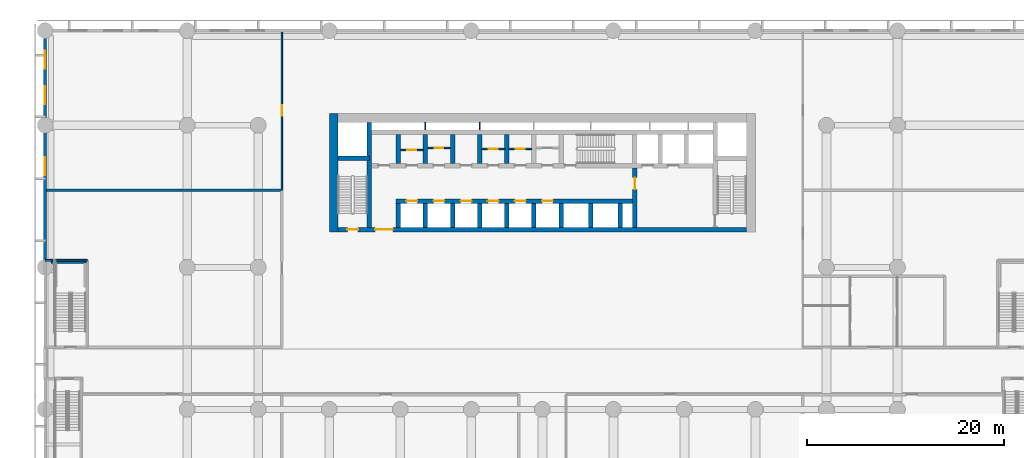
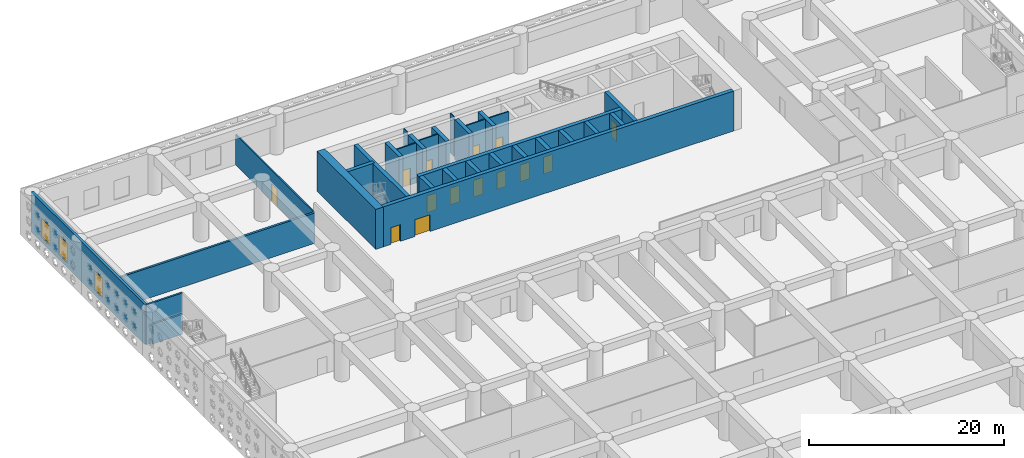
# One storey, part 7 of 30: 31 walls, 14 doors, 3 windows, 17 openings.
"""IFC4 building model written with IfcOpenShell, lengths in metres."""

from ifc_helpers import new_model, si_unit, direction, frame, frame_2d, origin, place, context, subcontext, project, spatial, rectangle, extrude, material, layer, layer_set, type_object, element, fill, save


model = new_model("IFC4")

# Units and contexts
model_context = context("Model", 3, precision=1e-05, world=origin(), true_north=direction((0.0, 1.0)))
body_context = subcontext(model_context, "Body", "Model", "MODEL_VIEW")
ifc_project = project(units=[si_unit("LENGTHUNIT", "METRE"), si_unit("AREAUNIT", "SQUARE_METRE"), si_unit("VOLUMEUNIT", "CUBIC_METRE"), si_unit("PLANEANGLEUNIT", "RADIAN"), si_unit("MASSUNIT", "GRAM", prefix="KILO")], contexts=[model_context])

# Site, building, storey
site_placement = place(None, origin())
site = spatial("IfcSite", under=ifc_project, at=site_placement, CompositionType="ELEMENT")
building_placement = place(site_placement, origin())
building = spatial("IfcBuilding", under=site, at=building_placement, Name="Saffron Iwan Residences", CompositionType="ELEMENT")
storey_placement = place(building_placement, frame((0.0, 0.0, 7.800048828125)))
storey = spatial("IfcBuildingStorey", under=building, at=storey_placement, Name="L01", CompositionType="ELEMENT", Elevation=7.800048828125)

# Wall, opening, door
ifc_material_1 = material(Name="Concrete blockwork", Category="masonry")
ifc_layer_1 = layer(ifc_material_1, 0.14990234375)
ifc_layer_set_1 = layer_set([ifc_layer_1], Name="Concrete blockwork")
wall_type_1 = type_object("IfcWallType", Name="Blockwork partition 150", PredefinedType="PARTITIONING", material=ifc_layer_set_1)
wall_1_placement = place(storey_placement, frame((24.0, 70.199951171875, 0.0), z_axis=(0.0, 0.0, 1.0), x_axis=(0.0, 1.0, 0.0)))
wall_1 = element("IfcWall", 1, at=wall_1_placement, inside=storey, type_object=wall_type_1, Name="W-L01-036", PredefinedType="PARTITIONING", context=body_context, shape_type="SweptSolid", body=[
    extrude(rectangle(XDim=16.050048828125, YDim=0.14990234375, at=frame_2d((8.02490234375, 0.0))), origin(), (0.0, 0.0, 1.0), 3.800048828125),
])
opening_1_placement = place(wall_1_placement, frame((7.550048828125, 0.0, 0.0)))
opening_1 = element("IfcOpeningElement", 2, at=opening_1_placement, cuts=wall_1, Name="Opening L01.13", PredefinedType="OPENING", context=body_context, shape_type="SweptSolid", body=[
    extrude(rectangle(XDim=1.10009765625, YDim=2.10009765625, at=frame_2d((0.550048828125, 1.050048828125))), frame((0.0, 0.0849609375, 0.0), z_axis=(0.0, -1.0, 0.0), x_axis=(1.0, 0.0, 0.0)), (0.0, 0.0, 1.0), 0.169921875),
])
ifc_material_2 = material(Name="Timber", Category="wood")
door_type_1 = type_object("IfcDoorType", Name="Door 1100x2100", OperationType="NOTDEFINED", PredefinedType="DOOR", material=ifc_material_2)
door_1_placement = place(opening_1_placement, origin())
door_1 = element("IfcDoor", 3, at=door_1_placement, inside=storey, type_object=door_type_1, Name="D-L01-013", OperationType="SINGLE_SWING_RIGHT", OverallHeight=2.10009765625, OverallWidth=1.10009765625, PredefinedType="DOOR", context=body_context, shape_type="SweptSolid", body=[
    extrude(rectangle(XDim=1.10009765625, YDim=2.10009765625, at=frame_2d((0.550048828125, 1.050048828125))), frame((0.0, 0.02490234375, 0.0), z_axis=(0.0, -1.0, 0.0), x_axis=(1.0, 0.0, 0.0)), (0.0, 0.0, 1.0), 0.050048828125),
])
fill(opening_1, door_1)

ifc_material_3 = material(Name="Fire-rated plasterboard partition")
ifc_layer_2 = layer(ifc_material_3, 0.14990234375)
ifc_layer_set_2 = layer_set([ifc_layer_2], Name="Fire-rated plasterboard partition")
wall_type_2 = type_object("IfcWallType", Name="Core partition 150", PredefinedType="PARTITIONING", material=ifc_layer_set_2)
wall_2_placement = place(storey_placement, frame((36.02490234375, 74.281982421875, 0.0), z_axis=(0.0, 0.0, 1.0), x_axis=(1.0, 0.0, 0.0)))
wall_2 = element("IfcWall", 4, at=wall_2_placement, inside=storey, type_object=wall_type_2, Name="Core partition P01", PredefinedType="PARTITIONING", context=body_context, shape_type="SweptSolid", body=[
    extrude(rectangle(XDim=2.300048828125, YDim=0.14990234375, at=frame_2d((1.14990234375, 0.0))), origin(), (0.0, 0.0, 1.0), 5.0),
])
opening_2_placement = place(wall_2_placement, frame((0.699951171875, 0.0, 0.0)))
opening_2 = element("IfcOpeningElement", 5, at=opening_2_placement, cuts=wall_2, Name="Opening SB", PredefinedType="OPENING", context=body_context, shape_type="SweptSolid", body=[
    extrude(rectangle(XDim=0.89990234375, YDim=2.10009765625, at=frame_2d((0.449951171875, 1.050048828125))), frame((0.0, 0.0849609375, 0.0), z_axis=(0.0, -1.0, 0.0), x_axis=(1.0, 0.0, 0.0)), (0.0, 0.0, 1.0), 0.169921875),
])
ifc_material_4 = material(Name="Steel fire door", Category="steel")
door_type_2 = type_object("IfcDoorType", Name="Store door 900", OperationType="NOTDEFINED", PredefinedType="DOOR", material=ifc_material_4)
door_2_placement = place(opening_2_placement, origin())
door_2 = element("IfcDoor", 6, at=door_2_placement, inside=storey, type_object=door_type_2, Name="Door Stationery store", OperationType="SINGLE_SWING_LEFT", OverallHeight=2.10009765625, OverallWidth=0.89990234375, PredefinedType="DOOR", context=body_context, shape_type="SweptSolid", body=[
    extrude(rectangle(XDim=0.89990234375, YDim=2.10009765625, at=frame_2d((0.449951171875, 1.050048828125))), frame((0.0, 0.02490234375, 0.0), z_axis=(0.0, -1.0, 0.0), x_axis=(1.0, 0.0, 0.0)), (0.0, 0.0, 1.0), 0.050048828125),
])
fill(opening_2, door_2)

wall_3_placement = place(storey_placement, frame((38.77490234375, 74.51806640625, 0.0), z_axis=(0.0, 0.0, 1.0), x_axis=(1.0, 0.0, 0.0)))
wall_3 = element("IfcWall", 7, at=wall_3_placement, inside=storey, type_object=wall_type_2, Name="Core partition P02", PredefinedType="PARTITIONING", context=body_context, shape_type="SweptSolid", body=[
    extrude(rectangle(XDim=2.300048828125, YDim=0.14990234375, at=frame_2d((1.14990234375, 0.0))), origin(), (0.0, 0.0, 1.0), 5.0),
])
opening_3_placement = place(wall_3_placement, frame((0.699951171875, 0.0, 0.0)))
opening_3 = element("IfcOpeningElement", 8, at=opening_3_placement, cuts=wall_3, Name="Opening SB", PredefinedType="OPENING", context=body_context, shape_type="SweptSolid", body=[
    extrude(rectangle(XDim=0.89990234375, YDim=2.10009765625, at=frame_2d((0.449951171875, 1.050048828125))), frame((0.0, 0.0849609375, 0.0), z_axis=(0.0, -1.0, 0.0), x_axis=(1.0, 0.0, 0.0)), (0.0, 0.0, 1.0), 0.169921875),
])
door_3_placement = place(opening_3_placement, origin())
door_3 = element("IfcDoor", 9, at=door_3_placement, inside=storey, type_object=door_type_2, Name="Door Tool store", OperationType="SINGLE_SWING_LEFT", OverallHeight=2.10009765625, OverallWidth=0.89990234375, PredefinedType="DOOR", context=body_context, shape_type="SweptSolid", body=[
    extrude(rectangle(XDim=0.89990234375, YDim=2.10009765625, at=frame_2d((0.449951171875, 1.050048828125))), frame((0.0, 0.02490234375, 0.0), z_axis=(0.0, -1.0, 0.0), x_axis=(1.0, 0.0, 0.0)), (0.0, 0.0, 1.0), 0.050048828125),
])
fill(opening_3, door_3)

wall_4_placement = place(storey_placement, frame((44.27490234375, 74.39990234375, 0.0), z_axis=(0.0, 0.0, 1.0), x_axis=(1.0, 0.0, 0.0)))
wall_4 = element("IfcWall", 10, at=wall_4_placement, inside=storey, type_object=wall_type_2, Name="Core partition P03", PredefinedType="PARTITIONING", context=body_context, shape_type="SweptSolid", body=[
    extrude(rectangle(XDim=2.300048828125, YDim=0.14990234375, at=frame_2d((1.14990234375, 0.0))), origin(), (0.0, 0.0, 1.0), 5.0),
])
opening_4_placement = place(wall_4_placement, frame((0.699951171875, 0.0, 0.0)))
opening_4 = element("IfcOpeningElement", 11, at=opening_4_placement, cuts=wall_4, Name="Opening SB", PredefinedType="OPENING", context=body_context, shape_type="SweptSolid", body=[
    extrude(rectangle(XDim=0.89990234375, YDim=2.10009765625, at=frame_2d((0.449951171875, 1.050048828125))), frame((0.0, 0.0849609375, 0.0), z_axis=(0.0, -1.0, 0.0), x_axis=(1.0, 0.0, 0.0)), (0.0, 0.0, 1.0), 0.169921875),
])
door_4_placement = place(opening_4_placement, origin())
door_4 = element("IfcDoor", 12, at=door_4_placement, inside=storey, type_object=door_type_2, Name="Door Equipment store", OperationType="SINGLE_SWING_RIGHT", OverallHeight=2.10009765625, OverallWidth=0.89990234375, PredefinedType="DOOR", context=body_context, shape_type="SweptSolid", body=[
    extrude(rectangle(XDim=0.89990234375, YDim=2.10009765625, at=frame_2d((0.449951171875, 1.050048828125))), frame((0.0, 0.02490234375, 0.0), z_axis=(0.0, -1.0, 0.0), x_axis=(1.0, 0.0, 0.0)), (0.0, 0.0, 1.0), 0.050048828125),
])
fill(opening_4, door_4)

wall_5_placement = place(storey_placement, frame((47.02490234375, 74.39990234375, 0.0), z_axis=(0.0, 0.0, 1.0), x_axis=(1.0, 0.0, 0.0)))
wall_5 = element("IfcWall", 13, at=wall_5_placement, inside=storey, type_object=wall_type_2, Name="Core partition P04", PredefinedType="PARTITIONING", context=body_context, shape_type="SweptSolid", body=[
    extrude(rectangle(XDim=2.300048828125, YDim=0.14990234375, at=frame_2d((1.14990234375, 0.0))), origin(), (0.0, 0.0, 1.0), 5.0),
])
opening_5_placement = place(wall_5_placement, frame((0.699951171875, 0.0, 0.0)))
opening_5 = element("IfcOpeningElement", 14, at=opening_5_placement, cuts=wall_5, Name="Opening SB", PredefinedType="OPENING", context=body_context, shape_type="SweptSolid", body=[
    extrude(rectangle(XDim=0.89990234375, YDim=2.10009765625, at=frame_2d((0.449951171875, 1.050048828125))), frame((0.0, 0.0849609375, 0.0), z_axis=(0.0, -1.0, 0.0), x_axis=(1.0, 0.0, 0.0)), (0.0, 0.0, 1.0), 0.169921875),
])
door_5_placement = place(opening_5_placement, origin())
door_5 = element("IfcDoor", 15, at=door_5_placement, inside=storey, type_object=door_type_2, Name="Door Mop store", OperationType="SINGLE_SWING_LEFT", OverallHeight=2.10009765625, OverallWidth=0.89990234375, PredefinedType="DOOR", context=body_context, shape_type="SweptSolid", body=[
    extrude(rectangle(XDim=0.89990234375, YDim=2.10009765625, at=frame_2d((0.449951171875, 1.050048828125))), frame((0.0, 0.02490234375, 0.0), z_axis=(0.0, -1.0, 0.0), x_axis=(1.0, 0.0, 0.0)), (0.0, 0.0, 1.0), 0.050048828125),
])
fill(opening_5, door_5)

# Walls
ifc_material_5 = material(Name="Concrete C40/50", Category="concrete")
ifc_layer_3 = layer(ifc_material_5, 0.25)
ifc_layer_set_3 = layer_set([ifc_layer_3], Name="Concrete C40/50")
wall_type_3 = type_object("IfcWallType", Name="Fire compartment wall 250", PredefinedType="SOLIDWALL", material=ifc_layer_set_3)
wall_6_placement = place(storey_placement, frame((0.14990234375, 70.199951171875, 0.0), z_axis=(0.0, 0.0, 1.0), x_axis=(1.0, 0.0, 0.0)))
element("IfcWall", 16, at=wall_6_placement, inside=storey, type_object=wall_type_3, Name="W-L01-026", PredefinedType="SOLIDWALL", context=body_context, shape_type="SweptSolid", body=[
    extrude(rectangle(XDim=23.85009765625, YDim=0.25, at=frame_2d((11.925048828125, 0.0))), origin(), (0.0, 0.0, 1.0), 3.800048828125),
])
ifc_layer_4 = layer(ifc_material_5, 0.199951171875)
ifc_layer_set_4 = layer_set([ifc_layer_4], Name="Concrete C40/50")
wall_type_4 = type_object("IfcWallType", Name="Landing support wall, reinforced concrete 200", PredefinedType="SOLIDWALL", material=ifc_layer_set_4)
wall_7_placement = place(storey_placement, frame((0.6240234375, 62.89990234375, 0.0), z_axis=(0.0, 0.0, 1.0), x_axis=(1.0, 0.0, 0.0)))
element("IfcWall", 17, at=wall_7_placement, inside=storey, type_object=wall_type_4, Name="PS3 landing support wall", PredefinedType="SOLIDWALL", context=body_context, shape_type="SweptSolid", body=[
    extrude(rectangle(XDim=3.52587890625, YDim=0.199951171875, at=frame_2d((1.762939453125, 0.0))), origin(), (0.0, 0.0, 1.0), 2.5),
])

# Wall, openings, windows
ifc_material_6 = material(Name="Precast concrete C40/50", Category="concrete")
ifc_layer_5 = layer(ifc_material_6, 0.300048828125)
ifc_layer_set_5 = layer_set([ifc_layer_5], Name="Precast concrete C40/50")
wall_type_5 = type_object("IfcWallType", Name="Podium external wall 300", PredefinedType="SOLIDWALL", material=ifc_layer_set_5)
wall_8_placement = place(storey_placement, frame((0.0, 63.10009765625, 0.0), z_axis=(0.0, 0.0, 1.0), x_axis=(0.0, 1.0, 0.0)))
wall_8 = element("IfcWall", 18, at=wall_8_placement, inside=storey, type_object=wall_type_5, Name="W-L01-030", PredefinedType="SOLIDWALL", context=body_context, shape_type="SweptSolid", body=[
    extrude(rectangle(XDim=23.2998046875, YDim=0.300048828125, at=frame_2d((11.64990234375, 0.0))), origin(), (0.0, 0.0, 1.0), 5.0),
])
opening_6_placement = place(wall_8_placement, frame((8.64990234375, 0.0, 0.60009765625)))
opening_6 = element("IfcOpeningElement", 19, at=opening_6_placement, cuts=wall_8, Name="Opening W7", PredefinedType="OPENING", context=body_context, shape_type="SweptSolid", body=[
    extrude(rectangle(XDim=1.800048828125, YDim=2.39990234375, at=frame_2d((0.89990234375, 1.199951171875))), frame((0.0, 0.16015625, 0.0), z_axis=(0.0, -1.0, 0.0), x_axis=(1.0, 0.0, 0.0)), (0.0, 0.0, 1.0), 0.320068359375),
])
opening_7_placement = place(wall_8_placement, frame((15.85009765625, 0.0, 0.60009765625)))
opening_7 = element("IfcOpeningElement", 20, at=opening_7_placement, cuts=wall_8, Name="Opening W7", PredefinedType="OPENING", context=body_context, shape_type="SweptSolid", body=[
    extrude(rectangle(XDim=1.800048828125, YDim=2.39990234375, at=frame_2d((0.89990234375, 1.199951171875))), frame((0.0, 0.16015625, 0.0), z_axis=(0.0, -1.0, 0.0), x_axis=(1.0, 0.0, 0.0)), (0.0, 0.0, 1.0), 0.320068359375),
])
opening_8_placement = place(wall_8_placement, frame((19.449951171875, 0.0, 0.60009765625)))
opening_8 = element("IfcOpeningElement", 21, at=opening_8_placement, cuts=wall_8, Name="Opening W7", PredefinedType="OPENING", context=body_context, shape_type="SweptSolid", body=[
    extrude(rectangle(XDim=1.800048828125, YDim=2.39990234375, at=frame_2d((0.89990234375, 1.199951171875))), frame((0.0, 0.16015625, 0.0), z_axis=(0.0, -1.0, 0.0), x_axis=(1.0, 0.0, 0.0)), (0.0, 0.0, 1.0), 0.320068359375),
])
ifc_material_7 = material(Name="Clear glass, laminated double glazed", Category="glass")
window_type = type_object("IfcWindowType", Name="WINDOW 1800 x 2400 PODIUM", PartitioningType="DOUBLE_PANEL_VERTICAL", PredefinedType="WINDOW", material=ifc_material_7)
window_1_placement = place(opening_6_placement, origin())
window_1 = element("IfcWindow", 22, at=window_1_placement, inside=storey, type_object=window_type, Name="Window L01 W-L01-030.0", OverallHeight=2.39990234375, OverallWidth=1.800048828125, PartitioningType="DOUBLE_PANEL_VERTICAL", PredefinedType="WINDOW", context=body_context, shape_type="SweptSolid", body=[
    extrude(rectangle(XDim=1.800048828125, YDim=2.39990234375, at=frame_2d((0.89990234375, 1.199951171875))), frame((0.0, 0.030029296875, 0.0), z_axis=(0.0, -1.0, 0.0), x_axis=(1.0, 0.0, 0.0)), (0.0, 0.0, 1.0), 0.06005859375),
])
fill(opening_6, window_1)
window_2_placement = place(opening_7_placement, origin())
window_2 = element("IfcWindow", 23, at=window_2_placement, inside=storey, type_object=window_type, Name="Window L01 W-L01-030.1", OverallHeight=2.39990234375, OverallWidth=1.800048828125, PartitioningType="DOUBLE_PANEL_VERTICAL", PredefinedType="WINDOW", context=body_context, shape_type="SweptSolid", body=[
    extrude(rectangle(XDim=1.800048828125, YDim=2.39990234375, at=frame_2d((0.89990234375, 1.199951171875))), frame((0.0, 0.030029296875, 0.0), z_axis=(0.0, -1.0, 0.0), x_axis=(1.0, 0.0, 0.0)), (0.0, 0.0, 1.0), 0.06005859375),
])
fill(opening_7, window_2)
window_3_placement = place(opening_8_placement, origin())
window_3 = element("IfcWindow", 24, at=window_3_placement, inside=storey, type_object=window_type, Name="Window L01 W-L01-030.2", OverallHeight=2.39990234375, OverallWidth=1.800048828125, PartitioningType="DOUBLE_PANEL_VERTICAL", PredefinedType="WINDOW", context=body_context, shape_type="SweptSolid", body=[
    extrude(rectangle(XDim=1.800048828125, YDim=2.39990234375, at=frame_2d((0.89990234375, 1.199951171875))), frame((0.0, 0.030029296875, 0.0), z_axis=(0.0, -1.0, 0.0), x_axis=(1.0, 0.0, 0.0)), (0.0, 0.0, 1.0), 0.06005859375),
])
fill(opening_8, window_3)

# Walls
ifc_layer_6 = layer(ifc_material_5, 0.199951171875)
ifc_layer_set_6 = layer_set([ifc_layer_6], Name="Concrete C40/50")
wall_type_6 = type_object("IfcWallType", Name="Reinforced concrete stair wall 200", PredefinedType="SOLIDWALL", material=ifc_layer_set_6)
wall_9_placement = place(storey_placement, frame((0.0, 63.10009765625, 0.0), z_axis=(0.0, 0.0, 1.0), x_axis=(1.0, 0.0, 0.0)))
element("IfcWall", 25, at=wall_9_placement, inside=storey, type_object=wall_type_6, Name="W-L01-023", PredefinedType="SOLIDWALL", context=body_context, shape_type="SweptSolid", body=[
    extrude(rectangle(XDim=4.25, YDim=0.199951171875, at=frame_2d((2.125, 0.0))), origin(), (0.0, 0.0, 1.0), 5.0),
])
ifc_layer_7 = layer(ifc_material_3, 0.10009765625)
ifc_layer_set_7 = layer_set([ifc_layer_7], Name="Fire-rated plasterboard partition")
wall_type_7 = type_object("IfcWallType", Name="Riser partition 100", PredefinedType="PARTITIONING", material=ifc_layer_set_7)
for number, where, z_axis, x_axis, name in (
    (26, (38.550048828125, 76.324951171875, 0.0), (0.0, 0.0, 1.0), (0.0, 1.0, 0.0), "Core partition P06"),
    (27, (44.050048828125, 76.324951171875, 0.0), (0.0, 0.0, 1.0), (0.0, 1.0, 0.0), "Core partition P07"),
):
    element("IfcWall", number, at=place(storey_placement, frame(where, z_axis=z_axis, x_axis=x_axis)), inside=storey, type_object=wall_type_7, Name=name, PredefinedType="PARTITIONING", context=body_context, shape_type="SweptSolid", body=[
        extrude(rectangle(XDim=0.775146484375, YDim=0.10009765625, at=frame_2d((0.3876953125, 0.0))), origin(), (0.0, 0.0, 1.0), 5.0),
    ])

# Wall, openings, doors
ifc_material_8 = material(Name="Concrete C60/75", Category="concrete")
ifc_layer_8 = layer(ifc_material_8, 0.449951171875)
ifc_layer_set_8 = layer_set([ifc_layer_8], Name="Concrete C60/75")
wall_type_8 = type_object("IfcWallType", Name="WALL CORE 450 C60/75 5000 HIGH", PredefinedType="SHEAR", material=ifc_layer_set_8)
wall_10_placement = place(storey_placement, frame((29.699951171875, 66.22509765625, 0.0), z_axis=(0.0, 0.0, 1.0), x_axis=(1.0, 0.0, 0.0)))
wall_10 = element("IfcWall", 28, at=wall_10_placement, inside=storey, type_object=wall_type_8, Name="Core wall", PredefinedType="SHEAR", context=body_context, shape_type="SweptSolid", body=[
    extrude(rectangle(XDim=41.400146484375, YDim=0.449951171875, at=frame_2d((20.7001953125, 0.0))), origin(), (0.0, 0.0, 1.0), 5.0),
])
opening_9_placement = place(wall_10_placement, frame((0.925048828125, 0.0, 0.0)))
opening_9 = element("IfcOpeningElement", 29, at=opening_9_placement, cuts=wall_10, Name="Opening SD", PredefinedType="OPENING", context=body_context, shape_type="SweptSolid", body=[
    extrude(rectangle(XDim=1.10009765625, YDim=2.10009765625, at=frame_2d((0.550048828125, 1.050048828125))), frame((0.0, 0.23486328125, 0.0), z_axis=(0.0, -1.0, 0.0), x_axis=(1.0, 0.0, 0.0)), (0.0, 0.0, 1.0), 0.469970703125),
])
opening_10_placement = place(wall_10_placement, frame((3.737548828125, 0.0, 0.0)))
opening_10 = element("IfcOpeningElement", 30, at=opening_10_placement, cuts=wall_10, Name="Opening DD", PredefinedType="OPENING", context=body_context, shape_type="SweptSolid", body=[
    extrude(rectangle(XDim=1.800048828125, YDim=2.10009765625, at=frame_2d((0.89990234375, 1.050048828125))), frame((0.0, 0.23486328125, 0.0), z_axis=(0.0, -1.0, 0.0), x_axis=(1.0, 0.0, 0.0)), (0.0, 0.0, 1.0), 0.469970703125),
])
door_type_3 = type_object("IfcDoorType", Name="Lobby double door 1800", OperationType="DOUBLE_DOOR_SINGLE_SWING", PredefinedType="DOOR", material=ifc_material_4)
door_6_placement = place(opening_10_placement, origin())
door_6 = element("IfcDoor", 31, at=door_6_placement, inside=storey, type_object=door_type_3, Name="Lobby doors", OperationType="DOUBLE_DOOR_SINGLE_SWING", OverallHeight=2.10009765625, OverallWidth=1.800048828125, PredefinedType="DOOR", context=body_context, shape_type="SweptSolid", body=[
    extrude(rectangle(XDim=1.800048828125, YDim=2.10009765625, at=frame_2d((0.89990234375, 1.050048828125))), frame((0.0, 0.02490234375, 0.0), z_axis=(0.0, -1.0, 0.0), x_axis=(1.0, 0.0, 0.0)), (0.0, 0.0, 1.0), 0.050048828125),
])
fill(opening_10, door_6)
door_type_4 = type_object("IfcDoorType", Name="Stair door 1100", OperationType="NOTDEFINED", PredefinedType="DOOR", material=ifc_material_4)
door_7_placement = place(opening_9_placement, origin())
door_7 = element("IfcDoor", 32, at=door_7_placement, inside=storey, type_object=door_type_4, Name="Stair door ST-W", OperationType="SINGLE_SWING_LEFT", OverallHeight=2.10009765625, OverallWidth=1.10009765625, PredefinedType="DOOR", context=body_context, shape_type="SweptSolid", body=[
    extrude(rectangle(XDim=1.10009765625, YDim=2.10009765625, at=frame_2d((0.550048828125, 1.050048828125))), frame((0.0, 0.02490234375, 0.0), z_axis=(0.0, -1.0, 0.0), x_axis=(1.0, 0.0, 0.0)), (0.0, 0.0, 1.0), 0.050048828125),
])
fill(opening_9, door_7)

wall_11_placement = place(storey_placement, frame((35.574951171875, 69.10009765625, 0.0), z_axis=(0.0, 0.0, 1.0), x_axis=(1.0, 0.0, 0.0)))
wall_11 = element("IfcWall", 33, at=wall_11_placement, inside=storey, type_object=wall_type_8, Name="Core wall", PredefinedType="SHEAR", context=body_context, shape_type="SweptSolid", body=[
    extrude(rectangle(XDim=24.199951171875, YDim=0.449951171875, at=frame_2d((12.10009765625, 0.0))), origin(), (0.0, 0.0, 1.0), 5.0),
])
opening_11_placement = place(wall_11_placement, frame((1.050048828125, 0.0, 0.0)))
opening_11 = element("IfcOpeningElement", 34, at=opening_11_placement, cuts=wall_11, Name="Opening LD", PredefinedType="OPENING", context=body_context, shape_type="SweptSolid", body=[
    extrude(rectangle(XDim=1.10009765625, YDim=2.10009765625, at=frame_2d((0.550048828125, 1.050048828125))), frame((0.0, 0.23486328125, 0.0), z_axis=(0.0, -1.0, 0.0), x_axis=(1.0, 0.0, 0.0)), (0.0, 0.0, 1.0), 0.469970703125),
])
opening_12_placement = place(wall_11_placement, frame((3.800048828125, 0.0, 0.0)))
opening_12 = element("IfcOpeningElement", 35, at=opening_12_placement, cuts=wall_11, Name="Opening LD", PredefinedType="OPENING", context=body_context, shape_type="SweptSolid", body=[
    extrude(rectangle(XDim=1.10009765625, YDim=2.10009765625, at=frame_2d((0.550048828125, 1.050048828125))), frame((0.0, 0.23486328125, 0.0), z_axis=(0.0, -1.0, 0.0), x_axis=(1.0, 0.0, 0.0)), (0.0, 0.0, 1.0), 0.469970703125),
])
opening_13_placement = place(wall_11_placement, frame((6.550048828125, 0.0, 0.0)))
opening_13 = element("IfcOpeningElement", 36, at=opening_13_placement, cuts=wall_11, Name="Opening LD", PredefinedType="OPENING", context=body_context, shape_type="SweptSolid", body=[
    extrude(rectangle(XDim=1.10009765625, YDim=2.10009765625, at=frame_2d((0.550048828125, 1.050048828125))), frame((0.0, 0.23486328125, 0.0), z_axis=(0.0, -1.0, 0.0), x_axis=(1.0, 0.0, 0.0)), (0.0, 0.0, 1.0), 0.469970703125),
])
opening_14_placement = place(wall_11_placement, frame((9.300048828125, 0.0, 0.0)))
opening_14 = element("IfcOpeningElement", 37, at=opening_14_placement, cuts=wall_11, Name="Opening LD", PredefinedType="OPENING", context=body_context, shape_type="SweptSolid", body=[
    extrude(rectangle(XDim=1.10009765625, YDim=2.10009765625, at=frame_2d((0.550048828125, 1.050048828125))), frame((0.0, 0.23486328125, 0.0), z_axis=(0.0, -1.0, 0.0), x_axis=(1.0, 0.0, 0.0)), (0.0, 0.0, 1.0), 0.469970703125),
])
opening_15_placement = place(wall_11_placement, frame((12.050048828125, 0.0, 0.0)))
opening_15 = element("IfcOpeningElement", 38, at=opening_15_placement, cuts=wall_11, Name="Opening LD", PredefinedType="OPENING", context=body_context, shape_type="SweptSolid", body=[
    extrude(rectangle(XDim=1.10009765625, YDim=2.10009765625, at=frame_2d((0.550048828125, 1.050048828125))), frame((0.0, 0.23486328125, 0.0), z_axis=(0.0, -1.0, 0.0), x_axis=(1.0, 0.0, 0.0)), (0.0, 0.0, 1.0), 0.469970703125),
])
opening_16_placement = place(wall_11_placement, frame((14.800048828125, 0.0, 0.0)))
opening_16 = element("IfcOpeningElement", 39, at=opening_16_placement, cuts=wall_11, Name="Opening LD", PredefinedType="OPENING", context=body_context, shape_type="SweptSolid", body=[
    extrude(rectangle(XDim=1.10009765625, YDim=2.10009765625, at=frame_2d((0.550048828125, 1.050048828125))), frame((0.0, 0.23486328125, 0.0), z_axis=(0.0, -1.0, 0.0), x_axis=(1.0, 0.0, 0.0)), (0.0, 0.0, 1.0), 0.469970703125),
])
door_type_5 = type_object("IfcDoorType", Name="Lift landing door 1100", OperationType="SLIDING_TO_LEFT", PredefinedType="DOOR", material=ifc_material_4)
door_8_placement = place(opening_11_placement, origin())
door_8 = element("IfcDoor", 40, at=door_8_placement, inside=storey, type_object=door_type_5, Name="Landing doors LR1", OperationType="SLIDING_TO_LEFT", OverallHeight=2.10009765625, OverallWidth=1.10009765625, PredefinedType="DOOR", context=body_context, shape_type="SweptSolid", body=[
    extrude(rectangle(XDim=1.10009765625, YDim=2.10009765625, at=frame_2d((0.550048828125, 1.050048828125))), frame((0.0, 0.02490234375, 0.0), z_axis=(0.0, -1.0, 0.0), x_axis=(1.0, 0.0, 0.0)), (0.0, 0.0, 1.0), 0.050048828125),
])
fill(opening_11, door_8)
door_9_placement = place(opening_12_placement, origin())
door_9 = element("IfcDoor", 41, at=door_9_placement, inside=storey, type_object=door_type_5, Name="Landing doors LR2", OperationType="SLIDING_TO_LEFT", OverallHeight=2.10009765625, OverallWidth=1.10009765625, PredefinedType="DOOR", context=body_context, shape_type="SweptSolid", body=[
    extrude(rectangle(XDim=1.10009765625, YDim=2.10009765625, at=frame_2d((0.550048828125, 1.050048828125))), frame((0.0, 0.02490234375, 0.0), z_axis=(0.0, -1.0, 0.0), x_axis=(1.0, 0.0, 0.0)), (0.0, 0.0, 1.0), 0.050048828125),
])
fill(opening_12, door_9)
door_10_placement = place(opening_13_placement, origin())
door_10 = element("IfcDoor", 42, at=door_10_placement, inside=storey, type_object=door_type_5, Name="Landing doors LR3", OperationType="SLIDING_TO_LEFT", OverallHeight=2.10009765625, OverallWidth=1.10009765625, PredefinedType="DOOR", context=body_context, shape_type="SweptSolid", body=[
    extrude(rectangle(XDim=1.10009765625, YDim=2.10009765625, at=frame_2d((0.550048828125, 1.050048828125))), frame((0.0, 0.02490234375, 0.0), z_axis=(0.0, -1.0, 0.0), x_axis=(1.0, 0.0, 0.0)), (0.0, 0.0, 1.0), 0.050048828125),
])
fill(opening_13, door_10)
door_11_placement = place(opening_14_placement, origin())
door_11 = element("IfcDoor", 43, at=door_11_placement, inside=storey, type_object=door_type_5, Name="Landing doors LR4", OperationType="SLIDING_TO_LEFT", OverallHeight=2.10009765625, OverallWidth=1.10009765625, PredefinedType="DOOR", context=body_context, shape_type="SweptSolid", body=[
    extrude(rectangle(XDim=1.10009765625, YDim=2.10009765625, at=frame_2d((0.550048828125, 1.050048828125))), frame((0.0, 0.02490234375, 0.0), z_axis=(0.0, -1.0, 0.0), x_axis=(1.0, 0.0, 0.0)), (0.0, 0.0, 1.0), 0.050048828125),
])
fill(opening_14, door_11)
door_12_placement = place(opening_15_placement, origin())
door_12 = element("IfcDoor", 44, at=door_12_placement, inside=storey, type_object=door_type_5, Name="Landing doors LR5", OperationType="SLIDING_TO_LEFT", OverallHeight=2.10009765625, OverallWidth=1.10009765625, PredefinedType="DOOR", context=body_context, shape_type="SweptSolid", body=[
    extrude(rectangle(XDim=1.10009765625, YDim=2.10009765625, at=frame_2d((0.550048828125, 1.050048828125))), frame((0.0, 0.02490234375, 0.0), z_axis=(0.0, -1.0, 0.0), x_axis=(1.0, 0.0, 0.0)), (0.0, 0.0, 1.0), 0.050048828125),
])
fill(opening_15, door_12)
door_13_placement = place(opening_16_placement, origin())
door_13 = element("IfcDoor", 45, at=door_13_placement, inside=storey, type_object=door_type_5, Name="Landing doors LR6", OperationType="SLIDING_TO_LEFT", OverallHeight=2.10009765625, OverallWidth=1.10009765625, PredefinedType="DOOR", context=body_context, shape_type="SweptSolid", body=[
    extrude(rectangle(XDim=1.10009765625, YDim=2.10009765625, at=frame_2d((0.550048828125, 1.050048828125))), frame((0.0, 0.02490234375, 0.0), z_axis=(0.0, -1.0, 0.0), x_axis=(1.0, 0.0, 0.0)), (0.0, 0.0, 1.0), 0.050048828125),
])
fill(opening_16, door_13)

# Walls
wall_12_placement = place(storey_placement, frame((29.699951171875, 73.47509765625, 0.0), z_axis=(0.0, 0.0, 1.0), x_axis=(1.0, 0.0, 0.0)))
element("IfcWall", 46, at=wall_12_placement, inside=storey, type_object=wall_type_8, Name="Core wall", PredefinedType="SHEAR", context=body_context, shape_type="SweptSolid", body=[
    extrude(rectangle(XDim=3.175048828125, YDim=0.449951171875, at=frame_2d((1.58740234375, 0.0))), origin(), (0.0, 0.0, 1.0), 5.0),
])
wall_13_placement = place(storey_placement, frame((32.875, 66.449951171875, 0.0), z_axis=(0.0, 0.0, 1.0), x_axis=(0.0, 1.0, 0.0)))
element("IfcWall", 47, at=wall_13_placement, inside=storey, type_object=wall_type_8, Name="Core wall", PredefinedType="SHEAR", context=body_context, shape_type="SweptSolid", body=[
    extrude(rectangle(XDim=10.650146484375, YDim=0.449951171875, at=frame_2d((5.3251953125, 0.0))), origin(), (0.0, 0.0, 1.0), 5.0),
])

# Wall, opening, door
wall_14_placement = place(storey_placement, frame((59.77490234375, 66.449951171875, 0.0), z_axis=(0.0, 0.0, 1.0), x_axis=(0.0, 1.0, 0.0)))
wall_14 = element("IfcWall", 48, at=wall_14_placement, inside=storey, type_object=wall_type_8, Name="Core wall", PredefinedType="SHEAR", context=body_context, shape_type="SweptSolid", body=[
    extrude(rectangle(XDim=6.025146484375, YDim=0.449951171875, at=frame_2d((3.0126953125, 0.0))), origin(), (0.0, 0.0, 1.0), 5.0),
])
opening_17_placement = place(wall_14_placement, frame((3.85009765625, 0.0, 0.0)))
opening_17 = element("IfcOpeningElement", 49, at=opening_17_placement, cuts=wall_14, Name="Opening FD", PredefinedType="OPENING", context=body_context, shape_type="SweptSolid", body=[
    extrude(rectangle(XDim=1.199951171875, YDim=2.10009765625, at=frame_2d((0.60009765625, 1.050048828125))), frame((0.0, 0.23486328125, 0.0), z_axis=(0.0, -1.0, 0.0), x_axis=(1.0, 0.0, 0.0)), (0.0, 0.0, 1.0), 0.469970703125),
])
door_type_6 = type_object("IfcDoorType", Name="Firefighting lobby door 1200", OperationType="NOTDEFINED", PredefinedType="DOOR", material=ifc_material_4)
door_14_placement = place(opening_17_placement, origin())
door_14 = element("IfcDoor", 50, at=door_14_placement, inside=storey, type_object=door_type_6, Name="Firefighting lobby door", OperationType="SINGLE_SWING_RIGHT", OverallHeight=2.10009765625, OverallWidth=1.199951171875, PredefinedType="DOOR", context=body_context, shape_type="SweptSolid", body=[
    extrude(rectangle(XDim=1.199951171875, YDim=2.10009765625, at=frame_2d((0.60009765625, 1.050048828125))), frame((0.0, 0.02490234375, 0.0), z_axis=(0.0, -1.0, 0.0), x_axis=(1.0, 0.0, 0.0)), (0.0, 0.0, 1.0), 0.050048828125),
])
fill(opening_17, door_14)

# Walls
for number, where, z_axis, x_axis, name in (
    (51, (35.800048828125, 66.449951171875, 0.0), (0.0, 0.0, 1.0), (0.0, 1.0, 0.0), "Core wall"),
    (52, (38.550048828125, 66.449951171875, 0.0), (0.0, 0.0, 1.0), (0.0, 1.0, 0.0), "Core wall"),
    (53, (41.300048828125, 66.449951171875, 0.0), (0.0, 0.0, 1.0), (0.0, 1.0, 0.0), "Core wall"),
    (54, (44.050048828125, 66.449951171875, 0.0), (0.0, 0.0, 1.0), (0.0, 1.0, 0.0), "Core wall"),
    (55, (46.800048828125, 66.449951171875, 0.0), (0.0, 0.0, 1.0), (0.0, 1.0, 0.0), "Core wall"),
    (56, (49.550048828125, 66.449951171875, 0.0), (0.0, 0.0, 1.0), (0.0, 1.0, 0.0), "Core wall"),
    (57, (52.300048828125, 66.449951171875, 0.0), (0.0, 0.0, 1.0), (0.0, 1.0, 0.0), "Core wall"),
    (58, (55.300048828125, 66.449951171875, 0.0), (0.0, 0.0, 1.0), (0.0, 1.0, 0.0), "Core wall"),
    (59, (58.300048828125, 66.449951171875, 0.0), (0.0, 0.0, 1.0), (0.0, 1.0, 0.0), "Core wall"),
):
    element("IfcWall", number, at=place(storey_placement, frame(where, z_axis=z_axis, x_axis=x_axis)), inside=storey, type_object=wall_type_8, Name=name, PredefinedType="SHEAR", context=body_context, shape_type="SweptSolid", body=[
        extrude(rectangle(XDim=2.425048828125, YDim=0.449951171875, at=frame_2d((1.21240234375, 0.0))), origin(), (0.0, 0.0, 1.0), 5.0),
    ])
for number, where, z_axis, x_axis, name in (
    (60, (35.800048828125, 72.925048828125, 0.0), (0.0, 0.0, 1.0), (0.0, 1.0, 0.0), "Core wall"),
    (61, (38.550048828125, 72.925048828125, 0.0), (0.0, 0.0, 1.0), (0.0, 1.0, 0.0), "Core wall"),
    (62, (41.300048828125, 72.925048828125, 0.0), (0.0, 0.0, 1.0), (0.0, 1.0, 0.0), "Core wall"),
    (63, (44.050048828125, 72.925048828125, 0.0), (0.0, 0.0, 1.0), (0.0, 1.0, 0.0), "Core wall"),
    (64, (46.800048828125, 72.925048828125, 0.0), (0.0, 0.0, 1.0), (0.0, 1.0, 0.0), "Core wall"),
):
    element("IfcWall", number, at=place(storey_placement, frame(where, z_axis=z_axis, x_axis=x_axis)), inside=storey, type_object=wall_type_8, Name=name, PredefinedType="SHEAR", context=body_context, shape_type="SweptSolid", body=[
        extrude(rectangle(XDim=2.949951171875, YDim=0.449951171875, at=frame_2d((1.47509765625, 0.0))), origin(), (0.0, 0.0, 1.0), 5.0),
    ])
ifc_layer_9 = layer(ifc_material_8, 0.89990234375)
ifc_layer_set_9 = layer_set([ifc_layer_9], Name="Concrete C60/75")
wall_type_9 = type_object("IfcWallType", Name="WALL CORE 900 C60/75 5000 HIGH", PredefinedType="SHEAR", material=ifc_layer_set_9)
wall_15_placement = place(storey_placement, frame((29.25, 66.0, 0.0), z_axis=(0.0, 0.0, 1.0), x_axis=(0.0, 1.0, 0.0)))
element("IfcWall", 65, at=wall_15_placement, inside=storey, type_object=wall_type_9, Name="Core wall", PredefinedType="SHEAR", context=body_context, shape_type="SweptSolid", body=[
    extrude(rectangle(XDim=12.0, YDim=0.89990234375, at=frame_2d((6.0, 0.0))), origin(), (0.0, 0.0, 1.0), 5.0),
])

save(model, "model.ifc")
